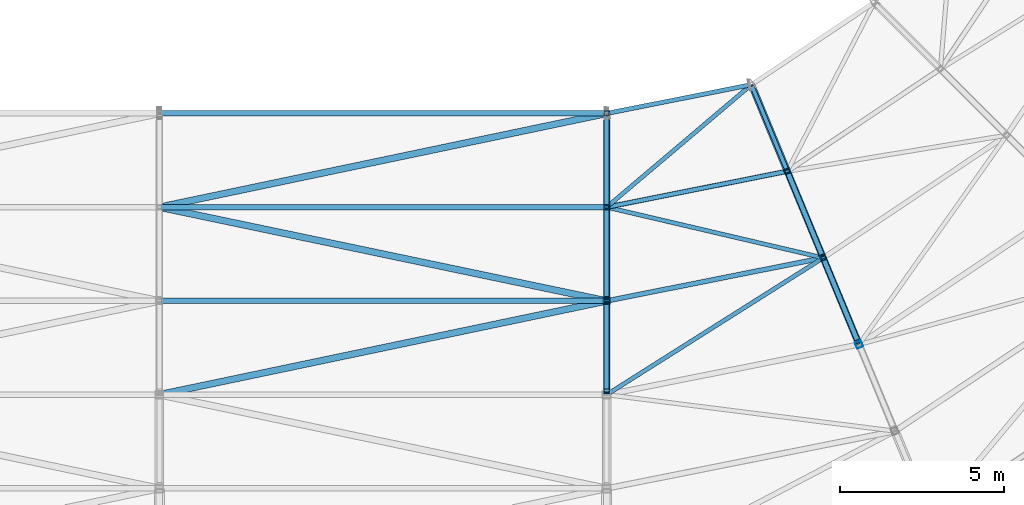
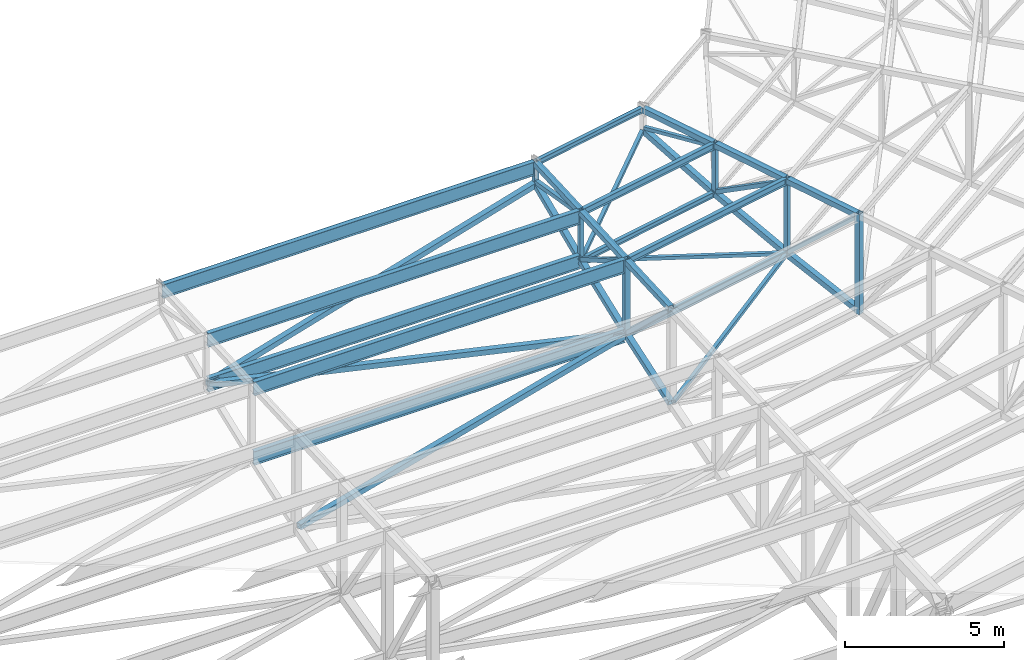
# One storey, part 29 of 278: 22 members, 18 beams.
"""IFC4 building model written with IfcOpenShell, lengths in metres."""

from ifc_helpers import new_model, si_unit, direction, frame, origin, origin_2d, place, context, subcontext, project, spatial, hollow_rectangle, i_section, extrude, material, material_profile, profile_set, type_object, element, save


model = new_model("IFC4")

# Units and contexts
model_context = context("Model", 3, precision=1e-05, world=origin(), true_north=direction((0.0, 1.0)))
body_context = subcontext(model_context, "Body", "Model", "MODEL_VIEW")
ifc_project = project(units=[si_unit("LENGTHUNIT", "METRE"), si_unit("AREAUNIT", "SQUARE_METRE"), si_unit("VOLUMEUNIT", "CUBIC_METRE"), si_unit("PLANEANGLEUNIT", "RADIAN"), si_unit("MASSUNIT", "GRAM", prefix="KILO")], contexts=[model_context])

# Site, building, storey
site_placement = place(None, origin())
site = spatial("IfcSite", under=ifc_project, at=site_placement, CompositionType="ELEMENT")
building_placement = place(site_placement, origin())
building = spatial("IfcBuilding", under=site, at=building_placement, Name="Ogive Plaza Stadium", CompositionType="ELEMENT")
storey_placement = place(building_placement, frame((0.0, 0.0, 29.0)))
storey = spatial("IfcBuildingStorey", under=building, at=storey_placement, Name="Roof", CompositionType="ELEMENT", Elevation=29.0)

# Members
ifc_material_1 = material(Name="Steel ASTM A500 Grade C", Category="steel")
ifc_material_profile_1 = material_profile(ifc_material_1, hollow_rectangle(XDim=0.126953125, YDim=0.126953125, WallThickness=0.005859375, at=origin_2d()), Name="HSS5X5X1/4")
ifc_profile_set_1 = profile_set([ifc_material_profile_1], Name="Steel ASTM A500 Grade C")
member_type_1 = type_object("IfcMemberType", Name="Roof plan brace HSS5X5X1/4", PredefinedType="BRACE", material=ifc_profile_set_1)
member_1_placement = place(storey_placement, frame((38.34716796875, -63.170166015625, 6.51171875), z_axis=(-0.746705370574, -0.632084810246, -0.207122867429), x_axis=(0.646095429739, -0.763256638143, 0.0)))
element("IfcMember", 1, at=member_1_placement, inside=storey, type_object=member_type_1, Name="ROOF BRACE B11 1", PredefinedType="BRACE", context=body_context, shape_type="SweptSolid", body=[
    extrude(hollow_rectangle(XDim=0.126953125, YDim=0.126953125, WallThickness=0.005859375, at=origin_2d()), origin(), (0.0, 0.0, 1.0), 5.695556640625),
])
member_2_placement = place(storey_placement, frame((34.0615234375, -66.864501953125, 5.295654296875), z_axis=(0.961217902804, -0.224974455098, -0.159520023456), x_axis=(0.227892690942, 0.973686254096, 0.0)))
element("IfcMember", 2, at=member_2_placement, inside=storey, type_object=member_type_1, Name="ROOF BRACE B11 2", PredefinedType="BRACE", context=body_context, shape_type="SweptSolid", body=[
    extrude(hollow_rectangle(XDim=0.126953125, YDim=0.126953125, WallThickness=0.005859375, at=origin_2d()), origin(), (0.0, 0.0, 1.0), 6.6728515625),
])
member_3_placement = place(storey_placement, frame((40.532958984375, -68.421875, 4.206298828125), z_axis=(-0.838964253402, -0.530140708095, -0.122840592371), x_axis=(0.534186414397, -0.845366710176, 0.0)))
element("IfcMember", 3, at=member_3_placement, inside=storey, type_object=member_type_1, Name="ROOF BRACE B11 3", PredefinedType="BRACE", context=body_context, shape_type="SweptSolid", body=[
    extrude(hollow_rectangle(XDim=0.126953125, YDim=0.126953125, WallThickness=0.005859375, at=origin_2d()), origin(), (0.0, 0.0, 1.0), 7.65576171875),
])
ifc_material_2 = material(Name="Steel ASTM A500 Grade C", Category="steel")
ifc_material_profile_2 = material_profile(ifc_material_2, hollow_rectangle(XDim=0.203125, YDim=0.203125, WallThickness=0.0087890625, at=origin_2d()), Name="HSS8X8X3/8")
ifc_profile_set_2 = profile_set([ifc_material_profile_2], Name="Steel ASTM A500 Grade C")
member_type_2 = type_object("IfcMemberType", Name="Roof plan brace HSS8X8X3/8", PredefinedType="BRACE", material=ifc_profile_set_2)
member_4_placement = place(storey_placement, frame((33.932373046875, -64.01416015625, 6.5205078125), z_axis=(-0.974983402681, -0.204327358854, -0.087508256301), x_axis=(0.205114219191, -0.978738043138, 0.0)))
element("IfcMember", 4, at=member_4_placement, inside=storey, type_object=member_type_2, Name="ROOF BRACE B12 1", PredefinedType="BRACE", context=body_context, shape_type="SweptSolid", body=[
    extrude(hollow_rectangle(XDim=0.203125, YDim=0.203125, WallThickness=0.0087890625, at=origin_2d()), origin(), (0.0, 0.0, 1.0), 13.81005859375),
])
member_5_placement = place(storey_placement, frame((20.4677734375, -66.8642578125, 5.30029296875), z_axis=(0.975733868402, -0.204463279961, -0.078346571082), x_axis=(0.205093700418, 0.978742343035, 0.0)))
element("IfcMember", 5, at=member_5_placement, inside=storey, type_object=member_type_2, Name="ROOF BRACE B12 2", PredefinedType="BRACE", context=body_context, shape_type="SweptSolid", body=[
    extrude(hollow_rectangle(XDim=0.203125, YDim=0.203125, WallThickness=0.0087890625, at=origin_2d()), origin(), (0.0, 0.0, 1.0), 13.7734375),
])
member_6_placement = place(storey_placement, frame((33.906982421875, -69.719482421875, 4.207275390625), z_axis=(-0.976515317582, -0.204641125651, -0.067378366106), x_axis=(0.205107232709, -0.97873950727, 0.0)))
element("IfcMember", 6, at=member_6_placement, inside=storey, type_object=member_type_2, Name="ROOF BRACE B12 3", PredefinedType="BRACE", context=body_context, shape_type="SweptSolid", body=[
    extrude(hollow_rectangle(XDim=0.203125, YDim=0.203125, WallThickness=0.0087890625, at=origin_2d()), origin(), (0.0, 0.0, 1.0), 13.736328125),
])
ifc_material_3 = material(Name="Steel ASTM A992 Grade 50", Category="steel")
ifc_material_profile_3 = material_profile(ifc_material_3, i_section(OverallWidth=0.14599609375, OverallDepth=0.25830078125, WebThickness=0.006103515625, FlangeThickness=0.009033203125, at=origin_2d()), Name="W10X22")
ifc_profile_set_3 = profile_set([ifc_material_profile_3], Name="Steel ASTM A992 Grade 50")
member_type_3 = type_object("IfcMemberType", Name="Roof plan strut W10X22", PredefinedType="STRUT", material=ifc_profile_set_3)
member_7_placement = place(storey_placement, frame((40.521240234375, -68.40283203125, 4.213623046875), z_axis=(-0.980783381188, -0.195099869772, 0.0), x_axis=(0.195099869772, -0.980783381188, 0.0)))
element("IfcMember", 7, at=member_7_placement, inside=storey, type_object=member_type_3, Name="ROOF STRUT B11 2", PredefinedType="STRUT", context=body_context, shape_type="SweptSolid", body=[
    extrude(i_section(OverallWidth=0.14599609375, OverallDepth=0.25830078125, WebThickness=0.006103515625, FlangeThickness=0.009033203125, at=origin_2d()), origin(), (0.0, 0.0, 1.0), 6.560791015625),
])
ifc_material_4 = material(Name="Steel ASTM A992 Grade 50", Category="steel")
ifc_material_profile_4 = material_profile(ifc_material_4, i_section(OverallWidth=0.1650390625, OverallDepth=0.524658203125, WebThickness=0.0087890625, FlangeThickness=0.011474609375, at=origin_2d()), Name="W21X44")
ifc_profile_set_4 = profile_set([ifc_material_profile_4], Name="Steel ASTM A992 Grade 50")
member_type_4 = type_object("IfcMemberType", Name="Roof plan strut W21X44", PredefinedType="STRUT", material=ifc_profile_set_4)
member_8_placement = place(storey_placement, frame((33.953857421875, -66.85009765625, 5.305908203125), z_axis=(-1.0, 0.0, 0.0), x_axis=(0.0, -1.0, 0.0)))
element("IfcMember", 8, at=member_8_placement, inside=storey, type_object=member_type_4, Name="ROOF STRUT B12 1", PredefinedType="STRUT", context=body_context, shape_type="SweptSolid", body=[
    extrude(i_section(OverallWidth=0.1650390625, OverallDepth=0.524658203125, WebThickness=0.0087890625, FlangeThickness=0.011474609375, at=origin_2d()), origin(), (0.0, 0.0, 1.0), 13.507568359375),
])
member_9_placement = place(storey_placement, frame((33.928466796875, -69.699951171875, 4.213623046875), z_axis=(-1.0, 0.0, 0.0), x_axis=(0.0, -1.0, 0.0)))
element("IfcMember", 9, at=member_9_placement, inside=storey, type_object=member_type_4, Name="ROOF STRUT B12 2", PredefinedType="STRUT", context=body_context, shape_type="SweptSolid", body=[
    extrude(i_section(OverallWidth=0.1650390625, OverallDepth=0.524658203125, WebThickness=0.0087890625, FlangeThickness=0.011474609375, at=origin_2d()), origin(), (0.0, 0.0, 1.0), 13.456787109375),
])
ifc_material_5 = material(Name="Steel ASTM A992 Grade 50", Category="steel")
ifc_material_profile_5 = material_profile(ifc_material_5, i_section(OverallWidth=0.13330078125, OverallDepth=0.206787109375, WebThickness=0.005859375, FlangeThickness=0.00830078125, at=origin_2d()), Name="W8X18")
ifc_profile_set_5 = profile_set([ifc_material_profile_5], Name="Steel ASTM A992 Grade 50")
member_type_5 = type_object("IfcMemberType", Name="Roof plan strut W8X18", PredefinedType="STRUT", material=ifc_profile_set_5)
member_10_placement = place(storey_placement, frame((39.431640625, -65.76953125, 5.305908203125), z_axis=(-0.980782455646, -0.195104522491, 0.0), x_axis=(0.195104522491, -0.980782455646, 0.0)))
element("IfcMember", 10, at=member_10_placement, inside=storey, type_object=member_type_5, Name="ROOF STRUT B11 1", PredefinedType="STRUT", context=body_context, shape_type="SweptSolid", body=[
    extrude(i_section(OverallWidth=0.13330078125, OverallDepth=0.206787109375, WebThickness=0.005859375, FlangeThickness=0.00830078125, at=origin_2d()), origin(), (0.0, 0.0, 1.0), 5.47705078125),
])
ifc_material_6 = material(Name="Steel ASTM A992 Grade 50", Category="steel")
ifc_material_profile_6 = material_profile(ifc_material_6, i_section(OverallWidth=0.14599609375, OverallDepth=0.25830078125, WebThickness=0.006103515625, FlangeThickness=0.009033203125, at=origin_2d()), Name="W10X22")
ifc_profile_set_6 = profile_set([ifc_material_profile_6], Name="Steel ASTM A992 Grade 50")
member_type_6 = type_object("IfcMemberType", Name="Roof purlin W10X22", PredefinedType="PURLIN", material=ifc_profile_set_6)
member_11_placement = place(storey_placement, frame((39.430419921875, -65.769775390625, 7.1533203125), z_axis=(-0.980782547175, -0.195104062379, 0.0), x_axis=(0.195104062379, -0.980782547175, 0.0)))
element("IfcMember", 11, at=member_11_placement, inside=storey, type_object=member_type_6, Name="ROOF PURLIN B11 1", PredefinedType="PURLIN", context=body_context, shape_type="SweptSolid", body=[
    extrude(i_section(OverallWidth=0.14599609375, OverallDepth=0.25830078125, WebThickness=0.006103515625, FlangeThickness=0.009033203125, at=origin_2d()), origin(), (0.0, 0.0, 1.0), 5.474609375),
])
member_12_placement = place(storey_placement, frame((40.521240234375, -68.40283203125, 7.0107421875), z_axis=(-0.980783381188, -0.195099869772, 0.0), x_axis=(0.195099869772, -0.980783381188, 0.0)))
element("IfcMember", 12, at=member_12_placement, inside=storey, type_object=member_type_6, Name="ROOF PURLIN B11 2", PredefinedType="PURLIN", context=body_context, shape_type="SweptSolid", body=[
    extrude(i_section(OverallWidth=0.14599609375, OverallDepth=0.25830078125, WebThickness=0.006103515625, FlangeThickness=0.009033203125, at=origin_2d()), origin(), (0.0, 0.0, 1.0), 6.560791015625),
])
ifc_material_7 = material(Name="Steel ASTM A992 Grade 50", Category="steel")
ifc_material_profile_7 = material_profile(ifc_material_7, i_section(OverallWidth=0.1650390625, OverallDepth=0.524658203125, WebThickness=0.0087890625, FlangeThickness=0.011474609375, at=origin_2d()), Name="W21X44")
ifc_profile_set_7 = profile_set([ifc_material_profile_7], Name="Steel ASTM A992 Grade 50")
member_type_7 = type_object("IfcMemberType", Name="Roof purlin W21X44", PredefinedType="PURLIN", material=ifc_profile_set_7)
member_13_placement = place(storey_placement, frame((33.953857421875, -66.85009765625, 7.02001953125), z_axis=(-1.0, 0.0, 0.0), x_axis=(0.0, -1.0, 0.0)))
element("IfcMember", 13, at=member_13_placement, inside=storey, type_object=member_type_7, Name="ROOF PURLIN B12 1", PredefinedType="PURLIN", context=body_context, shape_type="SweptSolid", body=[
    extrude(i_section(OverallWidth=0.1650390625, OverallDepth=0.524658203125, WebThickness=0.0087890625, FlangeThickness=0.011474609375, at=origin_2d()), origin(), (0.0, 0.0, 1.0), 13.507568359375),
])
member_14_placement = place(storey_placement, frame((33.928466796875, -69.699951171875, 6.877685546875), z_axis=(-1.0, 0.0, 0.0), x_axis=(0.0, -1.0, 0.0)))
element("IfcMember", 14, at=member_14_placement, inside=storey, type_object=member_type_7, Name="ROOF PURLIN B12 2", PredefinedType="PURLIN", context=body_context, shape_type="SweptSolid", body=[
    extrude(i_section(OverallWidth=0.1650390625, OverallDepth=0.524658203125, WebThickness=0.0087890625, FlangeThickness=0.011474609375, at=origin_2d()), origin(), (0.0, 0.0, 1.0), 13.456787109375),
])
ifc_material_8 = material(Name="Steel ASTM A992 Grade 50", Category="steel")
ifc_material_profile_8 = material_profile(ifc_material_8, i_section(OverallWidth=0.1650390625, OverallDepth=0.524658203125, WebThickness=0.0087890625, FlangeThickness=0.011474609375, at=origin_2d()), Name="W21X44")
ifc_profile_set_8 = profile_set([ifc_material_profile_8], Name="Steel ASTM A992 Grade 50")
member_type_8 = type_object("IfcMemberType", Name="Roof tip ring beam W21X44", PredefinedType="MEMBER", material=ifc_profile_set_8)
member_15_placement = place(storey_placement, frame((33.953857421875, -64.0, 7.16259765625), z_axis=(-1.0, 0.0, 0.0), x_axis=(0.0, -1.0, 0.0)))
element("IfcMember", 15, at=member_15_placement, inside=storey, type_object=member_type_8, Name="RING BEAM B12", PredefinedType="MEMBER", context=body_context, shape_type="SweptSolid", body=[
    extrude(i_section(OverallWidth=0.1650390625, OverallDepth=0.524658203125, WebThickness=0.0087890625, FlangeThickness=0.011474609375, at=origin_2d()), origin(), (0.0, 0.0, 1.0), 13.507568359375),
])
ifc_material_9 = material(Name="Steel ASTM A992 Grade 50", Category="steel")
ifc_material_profile_9 = material_profile(ifc_material_9, i_section(OverallWidth=0.13330078125, OverallDepth=0.206787109375, WebThickness=0.005859375, FlangeThickness=0.00830078125, at=origin_2d()), Name="W8X18")
ifc_profile_set_9 = profile_set([ifc_material_profile_9], Name="Steel ASTM A992 Grade 50")
member_type_9 = type_object("IfcMemberType", Name="Roof tip ring beam W8X18", PredefinedType="MEMBER", material=ifc_profile_set_9)
member_16_placement = place(storey_placement, frame((38.341064453125, -63.136474609375, 7.321533203125), z_axis=(-0.980786642434, -0.195083474499, 0.0), x_axis=(0.195083474499, -0.980786642434, 0.0)))
element("IfcMember", 16, at=member_16_placement, inside=storey, type_object=member_type_9, Name="RING BEAM B11", PredefinedType="MEMBER", context=body_context, shape_type="SweptSolid", body=[
    extrude(i_section(OverallWidth=0.13330078125, OverallDepth=0.206787109375, WebThickness=0.005859375, FlangeThickness=0.00830078125, at=origin_2d()), origin(), (0.0, 0.0, 1.0), 4.365234375),
])

# Beams
ifc_material_10 = material(Name="Steel ASTM A500 Grade C", Category="steel")
ifc_material_profile_10 = material_profile(ifc_material_10, hollow_rectangle(XDim=0.203125, YDim=0.203125, WallThickness=0.01171875, at=origin_2d()), Name="HSS8X8X1/2")
ifc_profile_set_10 = profile_set([ifc_material_profile_10], Name="Steel ASTM A500 Grade C")
beam_type_1 = type_object("IfcBeamType", Name="Roof truss bottom chord HSS8X8X1/2", PredefinedType="BEAM", material=ifc_profile_set_10)
beam_1_placement = place(storey_placement, frame((38.416259765625, -63.16162109375, 6.518310546875), z_axis=(0.351765143459, -0.849251260717, -0.393743038055), x_axis=(0.923881935076, 0.382677632008, 0.0)))
element("IfcBeam", 17, at=beam_1_placement, inside=storey, type_object=beam_type_1, Name="ROOF TRUSS T11 BOTTOM CHORD 1", PredefinedType="BEAM", context=body_context, shape_type="SweptSolid", body=[
    extrude(hollow_rectangle(XDim=0.203125, YDim=0.203125, WallThickness=0.01171875, at=origin_2d()), origin(), (0.0, 0.0, 1.0), 3.047607421875),
])
beam_2_placement = place(storey_placement, frame((39.50537109375, -65.791259765625, 5.299072265625), z_axis=(0.357350015784, -0.862700869161, -0.357838198866), x_axis=(0.923876649068, 0.38269039354, 0.0)))
element("IfcBeam", 18, at=beam_2_placement, inside=storey, type_object=beam_type_1, Name="ROOF TRUSS T11 BOTTOM CHORD 2", PredefinedType="BEAM", context=body_context, shape_type="SweptSolid", body=[
    extrude(hollow_rectangle(XDim=0.203125, YDim=0.203125, WallThickness=0.01171875, at=origin_2d()), origin(), (0.0, 0.0, 1.0), 3.00048828125),
])
beam_3_placement = place(storey_placement, frame((40.5947265625, -68.4208984375, 4.208251953125), z_axis=(0.362478322525, -0.875211905582, -0.320333554327), x_axis=(0.923896818654, 0.382641697258, 0.0)))
element("IfcBeam", 19, at=beam_3_placement, inside=storey, type_object=beam_type_1, Name="ROOF TRUSS T11 BOTTOM CHORD 3", PredefinedType="BEAM", context=body_context, shape_type="SweptSolid", body=[
    extrude(hollow_rectangle(XDim=0.203125, YDim=0.203125, WallThickness=0.01171875, at=origin_2d()), origin(), (0.0, 0.0, 1.0), 2.93115234375),
])
beam_4_placement = place(storey_placement, frame((34.0, -64.0400390625, 6.518310546875), z_axis=(0.0, -0.919215459426, -0.393754922702), x_axis=(1.0, 0.0, 0.0)))
element("IfcBeam", 20, at=beam_4_placement, inside=storey, type_object=beam_type_1, Name="ROOF TRUSS T12 BOTTOM CHORD 1", PredefinedType="BEAM", context=body_context, shape_type="SweptSolid", body=[
    extrude(hollow_rectangle(XDim=0.203125, YDim=0.203125, WallThickness=0.01171875, at=origin_2d()), origin(), (0.0, 0.0, 1.0), 3.04736328125),
])
beam_5_placement = place(storey_placement, frame((34.0, -66.886474609375, 5.299072265625), z_axis=(0.0, -0.933780874892, -0.357845326484), x_axis=(1.0, 0.0, 0.0)))
element("IfcBeam", 21, at=beam_5_placement, inside=storey, type_object=beam_type_1, Name="ROOF TRUSS T12 BOTTOM CHORD 2", PredefinedType="BEAM", context=body_context, shape_type="SweptSolid", body=[
    extrude(hollow_rectangle(XDim=0.203125, YDim=0.203125, WallThickness=0.01171875, at=origin_2d()), origin(), (0.0, 0.0, 1.0), 2.97314453125),
])
beam_6_placement = place(storey_placement, frame((34.0, -69.74072265625, 4.20556640625), z_axis=(0.0, -0.947299736415, -0.320348574817), x_axis=(1.0, 0.0, 0.0)))
element("IfcBeam", 22, at=beam_6_placement, inside=storey, type_object=beam_type_1, Name="ROOF TRUSS T12 BOTTOM CHORD 3", PredefinedType="BEAM", context=body_context, shape_type="SweptSolid", body=[
    extrude(hollow_rectangle(XDim=0.203125, YDim=0.203125, WallThickness=0.01171875, at=origin_2d()), origin(), (0.0, 0.0, 1.0), 2.912841796875),
])

# Members
ifc_material_11 = material(Name="Steel ASTM A500 Grade C", Category="steel")
ifc_material_profile_11 = material_profile(ifc_material_11, hollow_rectangle(XDim=0.126953125, YDim=0.126953125, WallThickness=0.005859375, at=origin_2d()), Name="HSS5X5X1/4")
ifc_profile_set_11 = profile_set([ifc_material_profile_11], Name="Steel ASTM A500 Grade C")
member_type_10 = type_object("IfcMemberType", Name="Roof truss diagonal HSS5X5X1/4", PredefinedType="BRACE", material=ifc_profile_set_11)
member_17_placement = place(storey_placement, frame((38.429931640625, -63.195068359375, 6.628173828125), z_axis=(0.377494789927, -0.911200476609, 0.164958706972), x_axis=(0.923856877937, 0.382738120768, 0.0)))
element("IfcMember", 23, at=member_17_placement, inside=storey, type_object=member_type_10, Name="ROOF TRUSS T11 DIAGONAL 1", PredefinedType="BRACE", context=body_context, shape_type="SweptSolid", body=[
    extrude(hollow_rectangle(XDim=0.126953125, YDim=0.126953125, WallThickness=0.005859375, at=origin_2d()), origin(), (0.0, 0.0, 1.0), 2.735107421875),
])
ifc_material_12 = material(Name="Steel ASTM A500 Grade C", Category="steel")
ifc_material_profile_12 = material_profile(ifc_material_12, hollow_rectangle(XDim=0.15234375, YDim=0.15234375, WallThickness=0.005859375, at=origin_2d()), Name="HSS6X6X1/4")
ifc_profile_set_12 = profile_set([ifc_material_profile_12], Name="Steel ASTM A500 Grade C")
member_type_11 = type_object("IfcMemberType", Name="Roof truss diagonal HSS6X6X1/4", PredefinedType="BRACE", material=ifc_profile_set_12)
member_18_placement = place(storey_placement, frame((39.520751953125, -65.828125, 5.407470703125), z_axis=(0.332885582198, -0.803712399025, 0.493187153947), x_axis=(0.923888877324, 0.382660871212, 0.0)))
element("IfcMember", 24, at=member_18_placement, inside=storey, type_object=member_type_11, Name="ROOF TRUSS T11 DIAGONAL 2", PredefinedType="BRACE", context=body_context, shape_type="SweptSolid", body=[
    extrude(hollow_rectangle(XDim=0.15234375, YDim=0.15234375, WallThickness=0.005859375, at=origin_2d()), origin(), (0.0, 0.0, 1.0), 3.100830078125),
])
member_19_placement = place(storey_placement, frame((40.611328125, -68.461181640625, 4.315185546875), z_axis=(0.280576599819, -0.677295435038, 0.680108568767), x_axis=(0.923864270577, 0.382720275855, 0.0)))
element("IfcMember", 25, at=member_19_placement, inside=storey, type_object=member_type_11, Name="ROOF TRUSS T11 DIAGONAL 3", PredefinedType="BRACE", context=body_context, shape_type="SweptSolid", body=[
    extrude(hollow_rectangle(XDim=0.15234375, YDim=0.15234375, WallThickness=0.005859375, at=origin_2d()), origin(), (0.0, 0.0, 1.0), 3.64501953125),
])
member_20_placement = place(storey_placement, frame((34.0, -64.076171875, 6.628173828125), z_axis=(0.0, -0.986299671123, 0.164963507307), x_axis=(1.0, 0.0, 0.0)))
element("IfcMember", 26, at=member_20_placement, inside=storey, type_object=member_type_11, Name="ROOF TRUSS T12 DIAGONAL 1", PredefinedType="BRACE", context=body_context, shape_type="SweptSolid", body=[
    extrude(hollow_rectangle(XDim=0.15234375, YDim=0.15234375, WallThickness=0.005859375, at=origin_2d()), origin(), (0.0, 0.0, 1.0), 2.73486328125),
])
member_21_placement = place(storey_placement, frame((34.0, -66.92626953125, 5.407470703125), z_axis=(0.0, -0.8679111184, 0.496719529069), x_axis=(1.0, 0.0, 0.0)))
element("IfcMember", 27, at=member_21_placement, inside=storey, type_object=member_type_11, Name="ROOF TRUSS T12 DIAGONAL 2", PredefinedType="BRACE", context=body_context, shape_type="SweptSolid", body=[
    extrude(hollow_rectangle(XDim=0.15234375, YDim=0.15234375, WallThickness=0.005859375, at=origin_2d()), origin(), (0.0, 0.0, 1.0), 3.078857421875),
])
ifc_material_13 = material(Name="Steel ASTM A500 Grade C", Category="steel")
ifc_material_profile_13 = material_profile(ifc_material_13, hollow_rectangle(XDim=0.15234375, YDim=0.15234375, WallThickness=0.0087890625, at=origin_2d()), Name="HSS6X6X3/8")
ifc_profile_set_13 = profile_set([ifc_material_profile_13], Name="Steel ASTM A500 Grade C")
member_type_12 = type_object("IfcMemberType", Name="Roof truss diagonal HSS6X6X3/8", PredefinedType="BRACE", material=ifc_profile_set_13)
member_22_placement = place(storey_placement, frame((34.0, -69.801513671875, 4.315185546875), z_axis=(0.0, -0.726588919749, 0.687072442832), x_axis=(1.0, 0.0, 0.0)))
element("IfcMember", 28, at=member_22_placement, inside=storey, type_object=member_type_12, Name="ROOF TRUSS T12 DIAGONAL 3", PredefinedType="BRACE", context=body_context, shape_type="SweptSolid", body=[
    extrude(hollow_rectangle(XDim=0.15234375, YDim=0.15234375, WallThickness=0.0087890625, at=origin_2d()), origin(), (0.0, 0.0, 1.0), 3.608154296875),
])

# Beams
ifc_material_14 = material(Name="Steel ASTM A500 Grade C", Category="steel")
ifc_material_profile_14 = material_profile(ifc_material_14, hollow_rectangle(XDim=0.15234375, YDim=0.15234375, WallThickness=0.0087890625, at=origin_2d()), Name="HSS6X6X3/8")
ifc_profile_set_14 = profile_set([ifc_material_profile_14], Name="Steel ASTM A500 Grade C")
beam_type_2 = type_object("IfcBeamType", Name="Roof truss post HSS6X6X3/8", PredefinedType="BEAM", material=ifc_profile_set_14)
beam_7_placement = place(storey_placement, frame((39.491455078125, -65.757568359375, 5.204345703125), z_axis=(0.0, 0.0, 1.0), x_axis=(0.923879532511, 0.382683432365, 0.0)))
element("IfcBeam", 29, at=beam_7_placement, inside=storey, type_object=beam_type_2, Name="ROOF TRUSS T11 POST 2", PredefinedType="BEAM", context=body_context, shape_type="SweptSolid", body=[
    extrude(hollow_rectangle(XDim=0.15234375, YDim=0.15234375, WallThickness=0.0087890625, at=origin_2d()), origin(), (0.0, 0.0, 1.0), 2.078125),
])
beam_8_placement = place(storey_placement, frame((40.582275390625, -68.390625, 4.112060546875), z_axis=(0.0, 0.0, 1.0), x_axis=(0.923879532511, 0.382683432365, 0.0)))
element("IfcBeam", 30, at=beam_8_placement, inside=storey, type_object=beam_type_2, Name="ROOF TRUSS T11 POST 3", PredefinedType="BEAM", context=body_context, shape_type="SweptSolid", body=[
    extrude(hollow_rectangle(XDim=0.15234375, YDim=0.15234375, WallThickness=0.0087890625, at=origin_2d()), origin(), (0.0, 0.0, 1.0), 3.02783203125),
])
beam_9_placement = place(storey_placement, frame((34.0, -64.0, 6.425048828125), z_axis=(0.0, 0.0, 1.0), x_axis=(1.0, 0.0, 0.0)))
element("IfcBeam", 31, at=beam_9_placement, inside=storey, type_object=beam_type_2, Name="ROOF TRUSS T12 POST 1", PredefinedType="BEAM", context=body_context, shape_type="SweptSolid", body=[
    extrude(hollow_rectangle(XDim=0.15234375, YDim=0.15234375, WallThickness=0.0087890625, at=origin_2d()), origin(), (0.0, 0.0, 1.0), 1.0),
])
beam_10_placement = place(storey_placement, frame((34.0, -66.85009765625, 5.204345703125), z_axis=(0.0, 0.0, 1.0), x_axis=(1.0, 0.0, 0.0)))
element("IfcBeam", 32, at=beam_10_placement, inside=storey, type_object=beam_type_2, Name="ROOF TRUSS T12 POST 2", PredefinedType="BEAM", context=body_context, shape_type="SweptSolid", body=[
    extrude(hollow_rectangle(XDim=0.15234375, YDim=0.15234375, WallThickness=0.0087890625, at=origin_2d()), origin(), (0.0, 0.0, 1.0), 2.078125),
])
ifc_material_15 = material(Name="Steel ASTM A500 Grade C", Category="steel")
ifc_material_profile_15 = material_profile(ifc_material_15, hollow_rectangle(XDim=0.203125, YDim=0.203125, WallThickness=0.0087890625, at=origin_2d()), Name="HSS8X8X3/8")
ifc_profile_set_15 = profile_set([ifc_material_profile_15], Name="Steel ASTM A500 Grade C")
beam_type_3 = type_object("IfcBeamType", Name="Roof truss post HSS8X8X3/8", PredefinedType="BEAM", material=ifc_profile_set_15)
beam_11_placement = place(storey_placement, frame((41.6728515625, -71.023681640625, 3.148193359375), z_axis=(0.0, 0.0, 1.0), x_axis=(0.923879532511, 0.382683432365, 0.0)))
element("IfcBeam", 33, at=beam_11_placement, inside=storey, type_object=beam_type_3, Name="ROOF TRUSS T11 POST 4", PredefinedType="BEAM", context=body_context, shape_type="SweptSolid", body=[
    extrude(hollow_rectangle(XDim=0.203125, YDim=0.203125, WallThickness=0.0087890625, at=origin_2d()), origin(), (0.0, 0.0, 1.0), 3.849365234375),
])
beam_12_placement = place(storey_placement, frame((34.0, -69.699951171875, 4.112060546875), z_axis=(0.0, 0.0, 1.0), x_axis=(1.0, 0.0, 0.0)))
element("IfcBeam", 34, at=beam_12_placement, inside=storey, type_object=beam_type_3, Name="ROOF TRUSS T12 POST 3", PredefinedType="BEAM", context=body_context, shape_type="SweptSolid", body=[
    extrude(hollow_rectangle(XDim=0.203125, YDim=0.203125, WallThickness=0.0087890625, at=origin_2d()), origin(), (0.0, 0.0, 1.0), 3.02783203125),
])
ifc_material_16 = material(Name="Steel ASTM A500 Grade C", Category="steel")
ifc_material_profile_16 = material_profile(ifc_material_16, hollow_rectangle(XDim=0.203125, YDim=0.203125, WallThickness=0.0087890625, at=origin_2d()), Name="HSS8X8X3/8")
ifc_profile_set_16 = profile_set([ifc_material_profile_16], Name="Steel ASTM A500 Grade C")
beam_type_4 = type_object("IfcBeamType", Name="Roof truss top chord HSS8X8X3/8", PredefinedType="BEAM", material=ifc_profile_set_16)
for number, where, z_axis, x_axis, name in (
    (35, (38.41650390625, -63.16259765625, 7.3212890625), (0.382245373816, -0.922709851429, -0.049950017735), (0.923863092395, 0.382723119906, 0.0), "ROOF TRUSS T11 TOP CHORD 1"),
    (36, (39.50732421875, -65.795654296875, 7.1787109375), (0.382170146482, -0.922740920758, -0.049951699644), (0.923894278368, 0.382647830777, 0.0), "ROOF TRUSS T11 TOP CHORD 2"),
):
    element("IfcBeam", number, at=place(storey_placement, frame(where, z_axis=z_axis, x_axis=x_axis)), inside=storey, type_object=beam_type_4, Name=name, PredefinedType="BEAM", context=body_context, shape_type="SweptSolid", body=[
        extrude(hollow_rectangle(XDim=0.203125, YDim=0.203125, WallThickness=0.0087890625, at=origin_2d()), origin(), (0.0, 0.0, 1.0), 2.771240234375),
    ])
beam_13_placement = place(storey_placement, frame((40.597900390625, -68.4287109375, 7.0361328125), z_axis=(0.382176583821, -0.922739022917, -0.049937504593), x_axis=(0.923891721509, 0.382654004196, 0.0)))
element("IfcBeam", 37, at=beam_13_placement, inside=storey, type_object=beam_type_4, Name="ROOF TRUSS T11 TOP CHORD 3", PredefinedType="BEAM", context=body_context, shape_type="SweptSolid", body=[
    extrude(hollow_rectangle(XDim=0.203125, YDim=0.203125, WallThickness=0.0087890625, at=origin_2d()), origin(), (0.0, 0.0, 1.0), 2.76220703125),
])
beam_14_placement = place(storey_placement, frame((34.0, -64.041259765625, 7.3212890625), z_axis=(0.0, -0.998751459876, -0.049955193873), x_axis=(1.0, 0.0, 0.0)))
element("IfcBeam", 38, at=beam_14_placement, inside=storey, type_object=beam_type_4, Name="ROOF TRUSS T12 TOP CHORD 1", PredefinedType="BEAM", context=body_context, shape_type="SweptSolid", body=[
    extrude(hollow_rectangle(XDim=0.203125, YDim=0.203125, WallThickness=0.0087890625, at=origin_2d()), origin(), (0.0, 0.0, 1.0), 2.77099609375),
])
beam_15_placement = place(storey_placement, frame((34.0, -66.89111328125, 7.1787109375), z_axis=(0.0, -0.998752338878, -0.049937616944), x_axis=(1.0, 0.0, 0.0)))
element("IfcBeam", 39, at=beam_15_placement, inside=storey, type_object=beam_type_4, Name="ROOF TRUSS T12 TOP CHORD 2", PredefinedType="BEAM", context=body_context, shape_type="SweptSolid", body=[
    extrude(hollow_rectangle(XDim=0.203125, YDim=0.203125, WallThickness=0.0087890625, at=origin_2d()), origin(), (0.0, 0.0, 1.0), 2.76220703125),
])
beam_16_placement = place(storey_placement, frame((34.0, -69.75, 7.035888671875), z_axis=(0.0, -0.998748798523, -0.05000837379), x_axis=(1.0, 0.0, 0.0)))
element("IfcBeam", 40, at=beam_16_placement, inside=storey, type_object=beam_type_4, Name="ROOF TRUSS T12 TOP CHORD 3", PredefinedType="BEAM", context=body_context, shape_type="SweptSolid", body=[
    extrude(hollow_rectangle(XDim=0.203125, YDim=0.203125, WallThickness=0.0087890625, at=origin_2d()), origin(), (0.0, 0.0, 1.0), 2.75341796875),
])

save(model, "model.ifc")
